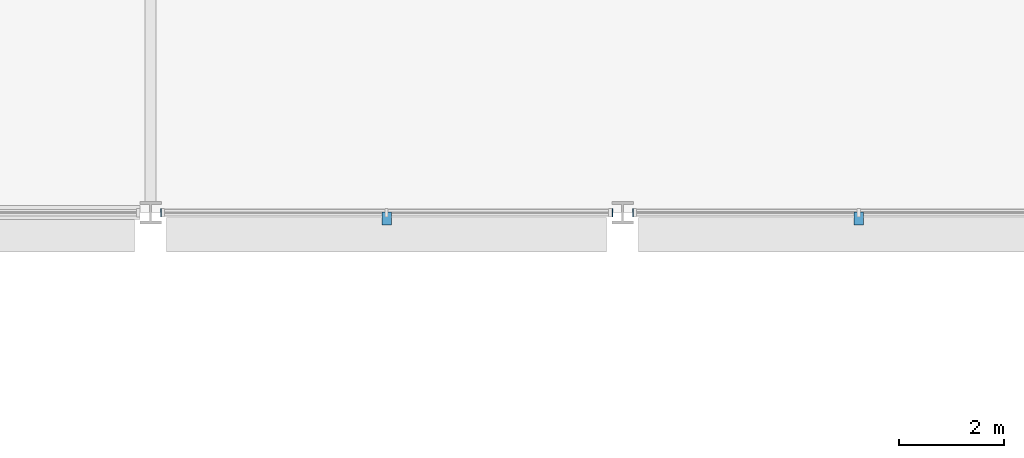
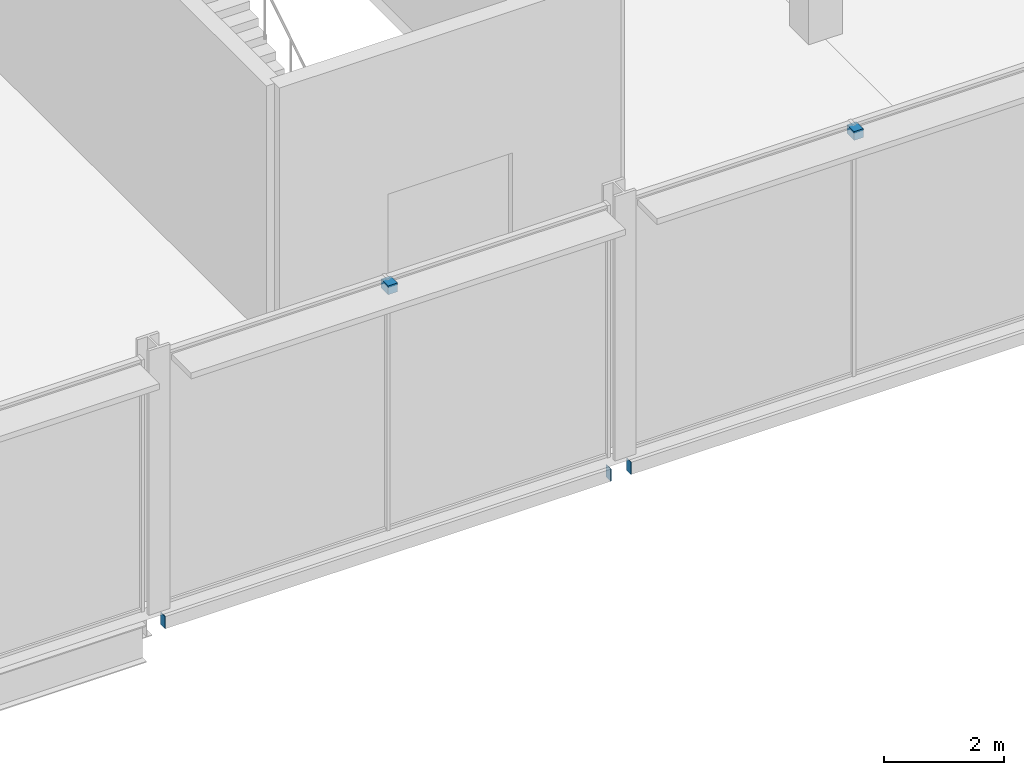
# One storey, part 76 of 111: 5 discrete accessories.
"""IFC4 building model written with IfcOpenShell, lengths in metres."""

from ifc_helpers import new_model, si_unit, direction, frame, origin, origin_2d, place, context, subcontext, project, spatial, polyline, rectangle, outline, extrude, material, layer, layer_set, type_object, element, save


model = new_model("IFC4")

# Units and contexts
model_context = context("Model", 3, precision=1e-05, world=origin(), true_north=direction((0.0, 1.0)))
body_context = subcontext(model_context, "Body", "Model", "MODEL_VIEW")
ifc_project = project(units=[si_unit("LENGTHUNIT", "METRE"), si_unit("AREAUNIT", "SQUARE_METRE"), si_unit("VOLUMEUNIT", "CUBIC_METRE"), si_unit("PLANEANGLEUNIT", "RADIAN"), si_unit("MASSUNIT", "GRAM", prefix="KILO")], contexts=[model_context])

# Site, building, storey
site_placement = place(None, origin())
site = spatial("IfcSite", under=ifc_project, at=site_placement, CompositionType="ELEMENT")
building_placement = place(site_placement, origin())
building = spatial("IfcBuilding", under=site, at=building_placement, Name="Kisiwana Market Hall", CompositionType="ELEMENT")
storey_placement = place(building_placement, frame((0.0, 0.0, 11.39990234375)))
storey = spatial("IfcBuildingStorey", under=building, at=storey_placement, Name="L02", CompositionType="ELEMENT", Elevation=11.39990234375)

# Discrete accessories
ifc_material_1 = material(Name="Steel S355", Category="steel")
discrete_accessory_type_1 = type_object("IfcDiscreteAccessoryType", Name="ACC-BRACKET-STL", PredefinedType="BRACKET", material=ifc_material_1)
for number, where, z_axis, x_axis, name in (
    (1, (85.5, 83.889892578125, 4.93994140625), (0.0, 0.0, 1.0), (1.0, 0.0, 0.0), "Sunshade steel bracket BRK-045"),
    (2, (94.5, 83.889892578125, 4.93994140625), (0.0, 0.0, 1.0), (1.0, 0.0, 0.0), "Sunshade steel bracket BRK-046"),
):
    element("IfcDiscreteAccessory", number, at=place(storey_placement, frame(where, z_axis=z_axis, x_axis=x_axis)), inside=storey, type_object=discrete_accessory_type_1, Name=name, PredefinedType="BRACKET", context=body_context, shape_type="SweptSolid", body=[
        extrude(rectangle(XDim=0.179931640625, YDim=0.239990234375, at=origin_2d()), origin(), (0.0, 0.0, 1.0), 0.179931640625),
    ])
ifc_material_2 = material(Name="Steel S355", Category="steel")
ifc_layer = layer(ifc_material_2, 0.011962890625)
ifc_layer_set = layer_set([ifc_layer], Name="ACC-ENDCAP-STL")
discrete_accessory_type_2 = type_object("IfcDiscreteAccessoryType", Name="ACC-ENDCAP-STL", PredefinedType="USERDEFINED", material=ifc_layer_set)
discrete_accessory_1_placement = place(storey_placement, frame((0.0, 0.0, -0.5)))
element("IfcDiscreteAccessory", 3, at=discrete_accessory_1_placement, inside=storey, type_object=discrete_accessory_type_2, Name="End cap plate EC-0023", ObjectType="End cap plate", PredefinedType="USERDEFINED", context=body_context, shape_type="SweptSolid", body=[
    extrude(outline(polyline([(89.798095703125, 83.925048828125), (89.81005859375, 83.925048828125), (89.81005859375, 84.074951171875), (89.798095703125, 84.074951171875), (89.798095703125, 83.925048828125)])), origin(), (0.0, 0.0, 1.0), 0.25),
])
discrete_accessory_2_placement = place(storey_placement, frame((0.0, 0.0, -0.5)))
element("IfcDiscreteAccessory", 4, at=discrete_accessory_2_placement, inside=storey, type_object=discrete_accessory_type_2, Name="End cap plate EC-0024", ObjectType="End cap plate", PredefinedType="USERDEFINED", context=body_context, shape_type="SweptSolid", body=[
    extrude(outline(polyline([(81.201904296875, 83.925048828125), (81.201904296875, 84.074951171875), (81.18994140625, 84.074951171875), (81.18994140625, 83.925048828125), (81.201904296875, 83.925048828125)])), origin(), (0.0, 0.0, 1.0), 0.25),
])
discrete_accessory_3_placement = place(storey_placement, frame((0.0, 0.0, -0.5)))
element("IfcDiscreteAccessory", 5, at=discrete_accessory_3_placement, inside=storey, type_object=discrete_accessory_type_2, Name="End cap plate EC-0026", ObjectType="End cap plate", PredefinedType="USERDEFINED", context=body_context, shape_type="SweptSolid", body=[
    extrude(outline(polyline([(90.201904296875, 83.925048828125), (90.201904296875, 84.074951171875), (90.18994140625, 84.074951171875), (90.18994140625, 83.925048828125), (90.201904296875, 83.925048828125)])), origin(), (0.0, 0.0, 1.0), 0.25),
])

save(model, "model.ifc")
